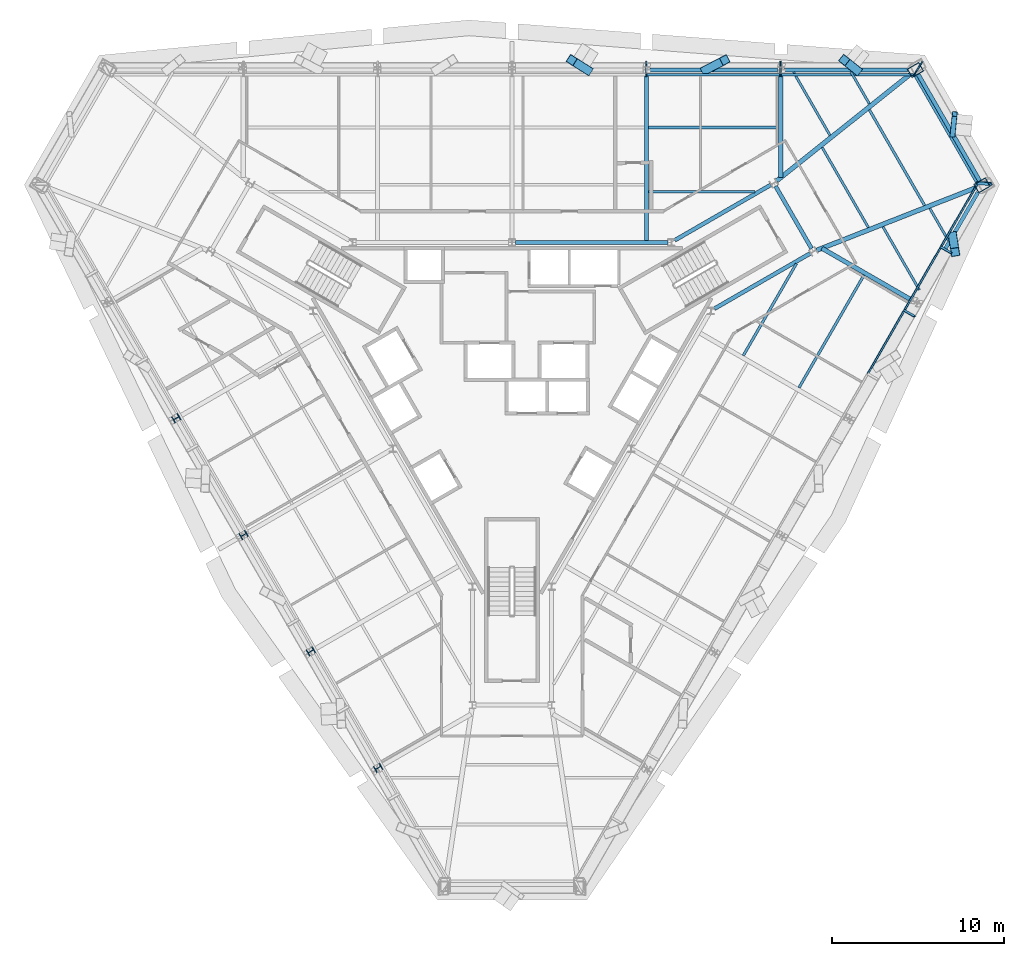
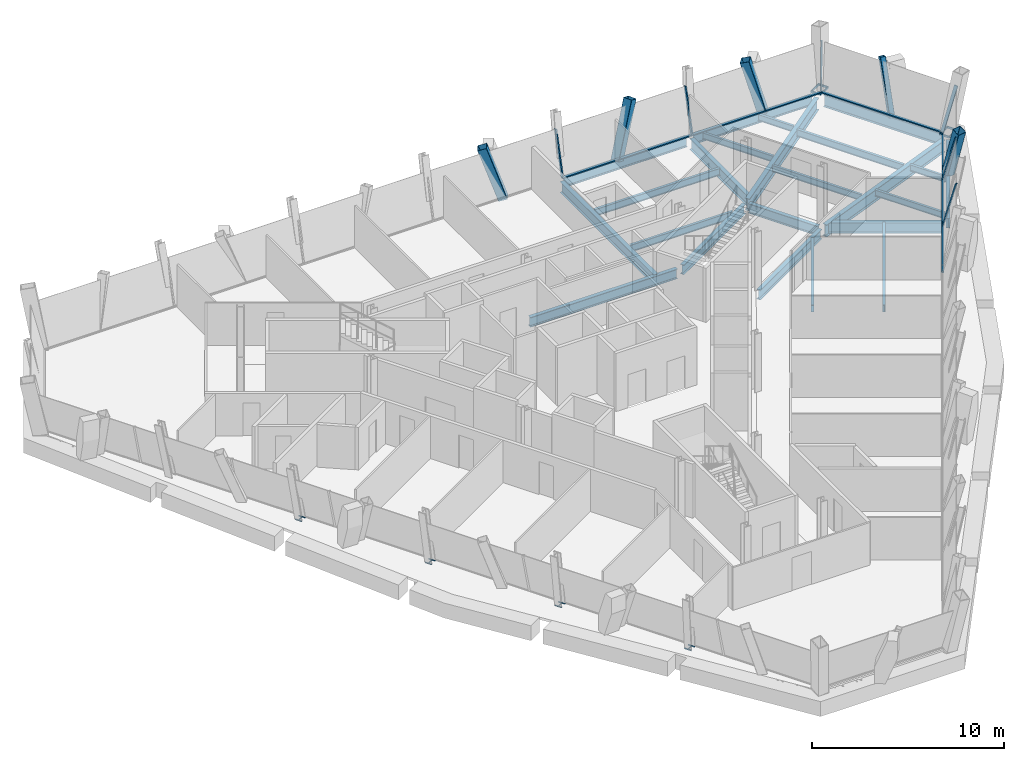
# One storey, part 5 of 12: 23 beams, 23 members, 3 elements without a shape of their own.
"""IFC4 building model written with IfcOpenShell, lengths in metres."""

from ifc_helpers import new_model, si_unit, direction, frame, origin, origin_2d, place, context, subcontext, project, spatial, rectangle, hollow_rectangle, i_section, extrude, material, material_profile, profile_set, type_object, element, aggregate, save


model = new_model("IFC4")

# Units and contexts
model_context = context("Model", 3, precision=1e-05, world=origin(), true_north=direction((0.0, 1.0)))
body_context = subcontext(model_context, "Body", "Model", "MODEL_VIEW")
ifc_project = project(units=[si_unit("LENGTHUNIT", "METRE"), si_unit("AREAUNIT", "SQUARE_METRE"), si_unit("VOLUMEUNIT", "CUBIC_METRE"), si_unit("PLANEANGLEUNIT", "RADIAN"), si_unit("MASSUNIT", "GRAM", prefix="KILO")], contexts=[model_context])

# Site, building, storey
site_placement = place(None, origin())
site = spatial("IfcSite", under=ifc_project, at=site_placement, CompositionType="ELEMENT")
building_placement = place(site_placement, origin())
building = spatial("IfcBuilding", under=site, at=building_placement, Name="Verrane Prism Tower", CompositionType="ELEMENT")
storey_placement = place(building_placement, frame((0.0, 0.0, 185.800048828125)))
storey = spatial("IfcBuildingStorey", under=building, at=storey_placement, Name="L46", CompositionType="ELEMENT", Elevation=185.800048828125)

# Member
ifc_material_1 = material(Name="Steel A500 Grade C", Category="steel")
ifc_material_profile_1 = material_profile(ifc_material_1, hollow_rectangle(XDim=0.3046875, YDim=0.3046875, WallThickness=0.0126953125, InnerFilletRadius=0.00634765625, OuterFilletRadius=0.01904296875, at=origin_2d()), Name="HSS12x12x1/2")
ifc_profile_set_1 = profile_set([ifc_material_profile_1], Name="Steel A500 Grade C")
member_type_1 = type_object("IfcMemberType", Name="Chamfer brace HSS12x12x1/2", PredefinedType="BRACE", material=ifc_profile_set_1)
member_1_placement = place(storey_placement, frame((25.614990234375, 14.26171875, -0.24267578125), z_axis=(0.036408998978, 0.358961961758, 0.932641782682), x_axis=(-0.994895474437, 0.100910826693, 0.0)))
element("IfcMember", 1, at=member_1_placement, inside=storey, type_object=member_type_1, Name="Chamfer brace NE0 L46", PredefinedType="BRACE", context=body_context, shape_type="SweptSolid", body=[
    extrude(hollow_rectangle(XDim=0.3046875, YDim=0.3046875, WallThickness=0.0126953125, InnerFilletRadius=0.00634765625, OuterFilletRadius=0.01904296875, at=origin_2d()), origin(), (0.0, 0.0, 1.0), 3.33251953125),
])

# Beams
ifc_material_2 = material(Name="Steel A992", Category="steel")
ifc_material_profile_2 = material_profile(ifc_material_2, i_section(OverallWidth=0.2666015625, OverallDepth=0.7568359375, WebThickness=0.013916015625, FlangeThickness=0.019287109375, FilletRadius=0.0166015625, at=origin_2d()), Name="W30x108")
ifc_profile_set_2 = profile_set([ifc_material_profile_2], Name="Steel A992")
beam_type_1 = type_object("IfcBeamType", Name="Chamfer spandrel beam W30x108", PredefinedType="SPANDREL", material=ifc_profile_set_2)
beam_1_placement = place(storey_placement, frame((27.169921875, 11.56982421875, -0.53857421875), z_axis=(-0.500163614961, 0.865930920033, 0.0), x_axis=(-0.865930920033, -0.500163614961, 0.0)))
element("IfcBeam", 2, at=beam_1_placement, inside=storey, type_object=beam_type_1, Name="Chamfer spandrel beam L46", PredefinedType="SPANDREL", context=body_context, shape_type="SweptSolid", body=[
    extrude(i_section(OverallWidth=0.2666015625, OverallDepth=0.7568359375, WebThickness=0.013916015625, FlangeThickness=0.019287109375, FilletRadius=0.0166015625, at=origin_2d()), origin(), (0.0, 0.0, 1.0), 7.13720703125),
])
ifc_material_3 = material(Name="Steel A992", Category="steel")
ifc_material_profile_3 = material_profile(ifc_material_3, i_section(OverallWidth=0.23046875, OverallDepth=0.6171875, WebThickness=0.01318359375, FlangeThickness=0.022216796875, FilletRadius=0.012939453125, at=origin_2d()), Name="W24x94")
ifc_profile_set_3 = profile_set([ifc_material_profile_3], Name="Steel A992")
beam_type_2 = type_object("IfcBeamType", Name="Core ring girder W24x94", PredefinedType="BEAM", material=ifc_profile_set_3)
beam_2_placement = place(storey_placement, frame((11.7607421875, 4.1357421875, -0.55859375), z_axis=(0.866075143088, 0.499913839102, 0.0), x_axis=(-0.499913839102, 0.866075143088, 0.0)))
element("IfcBeam", 3, at=beam_2_placement, inside=storey, type_object=beam_type_2, Name="Core ring girder L46", PredefinedType="BEAM", context=body_context, shape_type="SweptSolid", body=[
    extrude(i_section(OverallWidth=0.23046875, OverallDepth=0.6171875, WebThickness=0.01318359375, FlangeThickness=0.022216796875, FilletRadius=0.012939453125, at=origin_2d()), origin(), (0.0, 0.0, 1.0), 6.441650390625),
])
beam_3_placement = place(storey_placement, frame((17.418212890625, 7.635986328125, -0.55859375), z_axis=(-0.500305747711, 0.865848808284, 0.0), x_axis=(-0.865848808284, -0.500305747711, 0.0)))
element("IfcBeam", 4, at=beam_3_placement, inside=storey, type_object=beam_type_2, Name="Core ring girder L46", PredefinedType="BEAM", context=body_context, shape_type="SweptSolid", body=[
    extrude(i_section(OverallWidth=0.23046875, OverallDepth=0.6171875, WebThickness=0.01318359375, FlangeThickness=0.022216796875, FilletRadius=0.012939453125, at=origin_2d()), origin(), (0.0, 0.0, 1.0), 4.1904296875),
])
beam_4_placement = place(storey_placement, frame((15.03955078125, 11.3359375, -0.55859375), z_axis=(-0.866075143088, -0.499913839102, 0.0), x_axis=(0.499913839102, -0.866075143088, 0.0)))
element("IfcBeam", 5, at=beam_4_placement, inside=storey, type_object=beam_type_2, Name="Core ring girder L46", PredefinedType="BEAM", context=body_context, shape_type="SweptSolid", body=[
    extrude(i_section(OverallWidth=0.23046875, OverallDepth=0.6171875, WebThickness=0.01318359375, FlangeThickness=0.022216796875, FilletRadius=0.012939453125, at=origin_2d()), origin(), (0.0, 0.0, 1.0), 6.441650390625),
])
beam_5_placement = place(storey_placement, frame((9.059326171875, 8.0, -0.55859375), z_axis=(-1.0, 0.0, 0.0), x_axis=(0.0, -1.0, 0.0)))
element("IfcBeam", 6, at=beam_5_placement, inside=storey, type_object=beam_type_2, Name="Core ring girder L46", PredefinedType="BEAM", context=body_context, shape_type="SweptSolid", body=[
    extrude(i_section(OverallWidth=0.23046875, OverallDepth=0.6171875, WebThickness=0.01318359375, FlangeThickness=0.022216796875, FilletRadius=0.012939453125, at=origin_2d()), origin(), (0.0, 0.0, 1.0), 8.858642578125),
])
ifc_material_4 = material(Name="Steel A992", Category="steel")
ifc_material_profile_4 = material_profile(ifc_material_4, i_section(OverallWidth=0.2666015625, OverallDepth=0.76708984375, WebThickness=0.014892578125, FlangeThickness=0.023681640625, FilletRadius=0.0166015625, at=origin_2d()), Name="W30x124")
ifc_profile_set_4 = profile_set([ifc_material_profile_4], Name="Steel A992")
beam_type_3 = type_object("IfcBeamType", Name="Corner girder W30x124", PredefinedType="BEAM", material=ifc_profile_set_4)
beam_6_placement = place(storey_placement, frame((26.943603515625, 11.162109375, -0.603515625), z_axis=(-0.930755085218, -0.365643229583, 0.0), x_axis=(0.365643229583, -0.930755085218, 0.0)))
element("IfcBeam", 7, at=beam_6_placement, inside=storey, type_object=beam_type_3, Name="Corner girder L46", PredefinedType="BEAM", context=body_context, shape_type="SweptSolid", body=[
    extrude(i_section(OverallWidth=0.2666015625, OverallDepth=0.76708984375, WebThickness=0.014892578125, FlangeThickness=0.023681640625, FilletRadius=0.0166015625, at=origin_2d()), origin(), (0.0, 0.0, 1.0), 9.9140625),
])
beam_7_placement = place(storey_placement, frame((23.1337890625, 17.757568359375, -0.603515625), z_axis=(-0.781514558867, -0.623887004415, 0.0), x_axis=(0.623887004415, -0.781514558867, 0.0)))
element("IfcBeam", 8, at=beam_7_placement, inside=storey, type_object=beam_type_3, Name="Corner girder L46", PredefinedType="BEAM", context=body_context, shape_type="SweptSolid", body=[
    extrude(i_section(OverallWidth=0.2666015625, OverallDepth=0.76708984375, WebThickness=0.014892578125, FlangeThickness=0.023681640625, FilletRadius=0.0166015625, at=origin_2d()), origin(), (0.0, 0.0, 1.0), 9.915771484375),
])

# Members
ifc_material_5 = material(Name="Steel A500 Grade C", Category="steel")
ifc_material_profile_5 = material_profile(ifc_material_5, hollow_rectangle(XDim=0.508056640625, YDim=0.508056640625, WallThickness=0.01904296875, InnerFilletRadius=0.009521484375, OuterFilletRadius=0.028564453125, at=origin_2d()), Name="HSS20x20x3/4")
ifc_profile_set_5 = profile_set([ifc_material_profile_5], Name="Steel A500 Grade C")
member_type_2 = type_object("IfcMemberType", Name="Facade brace HSS20x20x3/4", PredefinedType="BRACE", material=ifc_profile_set_5)
member_2_placement = place(storey_placement, frame((20.041259765625, 18.010009765625, -0.216796875), z_axis=(-0.218357446262, 0.175536509856, 0.959951540115), x_axis=(-0.62654444333, -0.779385694334, 0.0)))
element("IfcMember", 9, at=member_2_placement, inside=storey, type_object=member_type_2, Name="Facade brace N0 L46", PredefinedType="BRACE", context=body_context, shape_type="SweptSolid", body=[
    extrude(hollow_rectangle(XDim=0.508056640625, YDim=0.508056640625, WallThickness=0.01904296875, InnerFilletRadius=0.009521484375, OuterFilletRadius=0.028564453125, at=origin_2d()), origin(), (0.0, 0.0, 1.0), 3.32958984375),
])
member_3_placement = place(storey_placement, frame((11.2548828125, 18.010009765625, -0.216796875), z_axis=(0.324698573451, 0.17013096626, 0.93039039694), x_axis=(-0.464115652833, 0.885774610607, 0.0)))
element("IfcMember", 10, at=member_3_placement, inside=storey, type_object=member_type_2, Name="Facade brace N1 L46", PredefinedType="BRACE", context=body_context, shape_type="SweptSolid", body=[
    extrude(hollow_rectangle(XDim=0.508056640625, YDim=0.508056640625, WallThickness=0.01904296875, InnerFilletRadius=0.009521484375, OuterFilletRadius=0.028564453125, at=origin_2d()), origin(), (0.0, 0.0, 1.0), 3.435546875),
])
member_4_placement = place(storey_placement, frame((4.395751953125, 18.010009765625, -0.216796875), z_axis=(-0.273745841571, 0.173006215608, 0.946114191619), x_axis=(-0.534244851167, -0.845329781211, 0.0)))
element("IfcMember", 11, at=member_4_placement, inside=storey, type_object=member_type_2, Name="Facade brace N2 L46", PredefinedType="BRACE", context=body_context, shape_type="SweptSolid", body=[
    extrude(hollow_rectangle(XDim=0.508056640625, YDim=0.508056640625, WallThickness=0.01904296875, InnerFilletRadius=0.009521484375, OuterFilletRadius=0.028564453125, at=origin_2d()), origin(), (0.0, 0.0, 1.0), 3.37841796875),
])
member_5_placement = place(storey_placement, frame((25.615478515625, 8.35888671875, -0.216796875), z_axis=(0.044053464311, -0.2777347359, 0.95964717931), x_axis=(0.987652818855, 0.156658575912, 0.0)))
element("IfcMember", 12, at=member_5_placement, inside=storey, type_object=member_type_2, Name="Facade brace SE5 L46", PredefinedType="BRACE", context=body_context, shape_type="SweptSolid", body=[
    extrude(hollow_rectangle(XDim=0.508056640625, YDim=0.508056640625, WallThickness=0.01904296875, InnerFilletRadius=0.009521484375, OuterFilletRadius=0.028564453125, at=origin_2d()), origin(), (0.0, 0.0, 1.0), 3.330810546875),
])

# Beams
ifc_material_6 = material(Name="Steel A992", Category="steel")
ifc_material_profile_6 = material_profile(ifc_material_6, i_section(OverallWidth=0.140380859375, OverallDepth=0.40380859375, WebThickness=0.007080078125, FlangeThickness=0.01123046875, FilletRadius=0.01025390625, at=origin_2d()), Name="W16x31")
ifc_profile_set_6 = profile_set([ifc_material_profile_6], Name="Steel A992")
beam_type_4 = type_object("IfcBeamType", Name="Floor beam W16x31", PredefinedType="BEAM", material=ifc_profile_set_6)
beam_8_placement = place(storey_placement, frame((20.77587890625, 16.046875, -0.362060546875), z_axis=(-0.500039335303, 0.866002692346, 0.0), x_axis=(-0.866002692346, -0.500039335303, 0.0)))
element("IfcBeam", 13, at=beam_8_placement, inside=storey, type_object=beam_type_4, Name="Floor beam L46", PredefinedType="BEAM", context=body_context, shape_type="SweptSolid", body=[
    extrude(i_section(OverallWidth=0.140380859375, OverallDepth=0.40380859375, WebThickness=0.007080078125, FlangeThickness=0.01123046875, FilletRadius=0.01025390625, at=origin_2d()), origin(), (0.0, 0.0, 1.0), 2.134033203125),
])
beam_9_placement = place(storey_placement, frame((18.4853515625, 14.21923828125, -0.362060546875), z_axis=(-0.49997473417, 0.866039990527, 0.0), x_axis=(-0.866039990527, -0.49997473417, 0.0)))
element("IfcBeam", 14, at=beam_9_placement, inside=storey, type_object=beam_type_4, Name="Floor beam L46", PredefinedType="BEAM", context=body_context, shape_type="SweptSolid", body=[
    extrude(i_section(OverallWidth=0.140380859375, OverallDepth=0.40380859375, WebThickness=0.007080078125, FlangeThickness=0.01123046875, FilletRadius=0.01025390625, at=origin_2d()), origin(), (0.0, 0.0, 1.0), 4.244384765625),
])
beam_10_placement = place(storey_placement, frame((25.35107421875, 8.130859375, -0.362060546875), z_axis=(-0.499941024108, 0.866059450854, 0.0), x_axis=(-0.866059450854, -0.499941024108, 0.0)))
element("IfcBeam", 15, at=beam_10_placement, inside=storey, type_object=beam_type_4, Name="Floor beam L46", PredefinedType="BEAM", context=body_context, shape_type="SweptSolid", body=[
    extrude(i_section(OverallWidth=0.140380859375, OverallDepth=0.40380859375, WebThickness=0.007080078125, FlangeThickness=0.01123046875, FilletRadius=0.01025390625, at=origin_2d()), origin(), (0.0, 0.0, 1.0), 2.127197265625),
])
beam_11_placement = place(storey_placement, frame((23.6796875, 5.23681640625, -0.362060546875), z_axis=(-0.500023792618, 0.866011666674, 0.0), x_axis=(-0.866011666674, -0.500023792618, 0.0)))
element("IfcBeam", 16, at=beam_11_placement, inside=storey, type_object=beam_type_4, Name="Floor beam L46", PredefinedType="BEAM", context=body_context, shape_type="SweptSolid", body=[
    extrude(i_section(OverallWidth=0.140380859375, OverallDepth=0.40380859375, WebThickness=0.007080078125, FlangeThickness=0.01123046875, FilletRadius=0.01025390625, at=origin_2d()), origin(), (0.0, 0.0, 1.0), 4.231201171875),
])
beam_12_placement = place(storey_placement, frame((20.72021484375, 8.856201171875, -0.362060546875), z_axis=(-0.500019726309, 0.866014014495, 0.0), x_axis=(-0.866014014495, -0.500019726309, 0.0)))
element("IfcBeam", 17, at=beam_12_placement, inside=storey, type_object=beam_type_4, Name="Floor beam L46", PredefinedType="BEAM", context=body_context, shape_type="SweptSolid", body=[
    extrude(i_section(OverallWidth=0.140380859375, OverallDepth=0.40380859375, WebThickness=0.007080078125, FlangeThickness=0.01123046875, FilletRadius=0.01025390625, at=origin_2d()), origin(), (0.0, 0.0, 1.0), 5.379150390625),
])
ifc_material_7 = material(Name="Steel A992", Category="steel")
ifc_material_profile_7 = material_profile(ifc_material_7, i_section(OverallWidth=0.15234375, OverallDepth=0.449462890625, WebThickness=0.007568359375, FlangeThickness=0.0107421875, FilletRadius=0.01025390625, at=origin_2d()), Name="W18x35")
ifc_profile_set_7 = profile_set([ifc_material_profile_7], Name="Steel A992")
beam_type_5 = type_object("IfcBeamType", Name="Floor beam W18x35", PredefinedType="BEAM", material=ifc_profile_set_7)
beam_13_placement = place(storey_placement, frame((7.947021484375, 10.936767578125, -0.384765625), z_axis=(1.0, 0.0, 0.0), x_axis=(0.0, 1.0, 0.0)))
element("IfcBeam", 18, at=beam_13_placement, inside=storey, type_object=beam_type_5, Name="Floor beam L46", PredefinedType="BEAM", context=body_context, shape_type="SweptSolid", body=[
    extrude(i_section(OverallWidth=0.15234375, OverallDepth=0.449462890625, WebThickness=0.007568359375, FlangeThickness=0.0107421875, FilletRadius=0.01025390625, at=origin_2d()), origin(), (0.0, 0.0, 1.0), 6.1708984375),
])
beam_14_placement = place(storey_placement, frame((7.947021484375, 14.67333984375, -0.384765625), z_axis=(1.0, 0.0, 0.0), x_axis=(0.0, 1.0, 0.0)))
element("IfcBeam", 19, at=beam_14_placement, inside=storey, type_object=beam_type_5, Name="Floor beam L46", PredefinedType="BEAM", context=body_context, shape_type="SweptSolid", body=[
    extrude(i_section(OverallWidth=0.15234375, OverallDepth=0.449462890625, WebThickness=0.007568359375, FlangeThickness=0.0107421875, FilletRadius=0.01025390625, at=origin_2d()), origin(), (0.0, 0.0, 1.0), 7.555908203125),
])
beam_15_placement = place(storey_placement, frame((16.68310546875, -0.453125, -0.384765625), z_axis=(0.499994554566, 0.866028547684, 0.0), x_axis=(-0.866028547684, 0.499994554566, 0.0)))
element("IfcBeam", 20, at=beam_15_placement, inside=storey, type_object=beam_type_5, Name="Floor beam L46", PredefinedType="BEAM", context=body_context, shape_type="SweptSolid", body=[
    extrude(i_section(OverallWidth=0.15234375, OverallDepth=0.449462890625, WebThickness=0.007568359375, FlangeThickness=0.0107421875, FilletRadius=0.01025390625, at=origin_2d()), origin(), (0.0, 0.0, 1.0), 7.5595703125),
])
beam_16_placement = place(storey_placement, frame((13.446044921875, 1.41357421875, -0.384765625), z_axis=(0.500025052272, 0.866010939365, 0.0), x_axis=(-0.866010939365, 0.500025052272, 0.0)))
element("IfcBeam", 21, at=beam_16_placement, inside=storey, type_object=beam_type_5, Name="Floor beam L46", PredefinedType="BEAM", context=body_context, shape_type="SweptSolid", body=[
    extrude(i_section(OverallWidth=0.15234375, OverallDepth=0.449462890625, WebThickness=0.007568359375, FlangeThickness=0.0107421875, FilletRadius=0.01025390625, at=origin_2d()), origin(), (0.0, 0.0, 1.0), 6.169189453125),
])
beam_17_placement = place(storey_placement, frame((23.986328125, 10.1416015625, -0.384765625), z_axis=(-0.500002112793, 0.866024183959, 0.0), x_axis=(-0.866024183959, -0.500002112793, 0.0)))
element("IfcBeam", 22, at=beam_17_placement, inside=storey, type_object=beam_type_5, Name="Floor beam L46", PredefinedType="BEAM", context=body_context, shape_type="SweptSolid", body=[
    extrude(i_section(OverallWidth=0.15234375, OverallDepth=0.449462890625, WebThickness=0.007568359375, FlangeThickness=0.0107421875, FilletRadius=0.01025390625, at=origin_2d()), origin(), (0.0, 0.0, 1.0), 6.42333984375),
])

# Members
ifc_material_8 = material(Name="Steel A572 Grade 50", Category="steel")
ifc_material_profile_8 = material_profile(ifc_material_8, hollow_rectangle(XDim=0.60009765625, YDim=0.800048828125, WallThickness=0.050048828125, at=origin_2d()), Name="BOX 800x600x50")
ifc_profile_set_8 = profile_set([ifc_material_profile_8], Name="Steel A572 Grade 50")
member_type_3 = type_object("IfcMemberType", Name="Kink node BOX 800x600x50", PredefinedType="COLLAR", material=ifc_profile_set_8)
for number, where, z_axis, x_axis, name in (
    (23, (27.3271484375, 11.31005859375, -0.06494140625), (0.0, 0.0, 1.0), (0.5, -0.866025403784, 0.0), "Kink node MC4 L46"),
    (24, (23.45361328125, 18.01611328125, -0.06494140625), (0.0, 0.0, 1.0), (0.5, -0.866025403784, 0.0), "Kink node MC4 L46"),
):
    element("IfcMember", number, at=place(storey_placement, frame(where, z_axis=z_axis, x_axis=x_axis)), inside=storey, type_object=member_type_3, Name=name, PredefinedType="COLLAR", context=body_context, shape_type="SweptSolid", body=[
        extrude(hollow_rectangle(XDim=0.60009765625, YDim=0.800048828125, WallThickness=0.050048828125, at=origin_2d()), origin(), (0.0, 0.0, 1.0), 0.1298828125),
    ])
ifc_material_9 = material(Name="Steel A992", Category="steel")
ifc_material_profile_9 = material_profile(ifc_material_9, i_section(OverallWidth=0.406494140625, OverallDepth=0.41650390625, WebThickness=0.030029296875, FlangeThickness=0.048095703125, FilletRadius=0.01513671875, at=origin_2d()), Name="W14x257")
ifc_profile_set_9 = profile_set([ifc_material_profile_9], Name="Steel A992")
member_type_4 = type_object("IfcMemberType", Name="Kink node W14x257", PredefinedType="COLLAR", material=ifc_profile_set_9)
member_6_placement = place(storey_placement, frame((-19.51318359375, -2.231201171875, -0.03515625), z_axis=(0.0, 0.0, 1.0), x_axis=(-0.5, 0.866025403784, 0.0)))
element("IfcMember", 25, at=member_6_placement, inside=storey, type_object=member_type_4, Name="Kink node PC7 L46", PredefinedType="COLLAR", context=body_context, shape_type="SweptSolid", body=[
    extrude(i_section(OverallWidth=0.406494140625, OverallDepth=0.41650390625, WebThickness=0.030029296875, FlangeThickness=0.048095703125, FilletRadius=0.01513671875, at=origin_2d()), origin(), (0.0, 0.0, 1.0), 0.070068359375),
])
member_7_placement = place(storey_placement, frame((-15.6025390625, -9.011474609375, -0.030029296875), z_axis=(0.0, 0.0, 1.0), x_axis=(-0.5, 0.866025403784, 0.0)))
element("IfcMember", 26, at=member_7_placement, inside=storey, type_object=member_type_4, Name="Kink node PC7 L46", PredefinedType="COLLAR", context=body_context, shape_type="SweptSolid", body=[
    extrude(i_section(OverallWidth=0.406494140625, OverallDepth=0.41650390625, WebThickness=0.030029296875, FlangeThickness=0.048095703125, FilletRadius=0.01513671875, at=origin_2d()), origin(), (0.0, 0.0, 1.0), 0.06005859375),
])
member_8_placement = place(storey_placement, frame((-11.692626953125, -15.7822265625, -0.03515625), z_axis=(0.0, 0.0, 1.0), x_axis=(-0.5, 0.866025403784, 0.0)))
element("IfcMember", 27, at=member_8_placement, inside=storey, type_object=member_type_4, Name="Kink node PC7 L46", PredefinedType="COLLAR", context=body_context, shape_type="SweptSolid", body=[
    extrude(i_section(OverallWidth=0.406494140625, OverallDepth=0.41650390625, WebThickness=0.030029296875, FlangeThickness=0.048095703125, FilletRadius=0.01513671875, at=origin_2d()), origin(), (0.0, 0.0, 1.0), 0.070068359375),
])
member_9_placement = place(storey_placement, frame((-7.78271484375, -22.55322265625, -0.0400390625), z_axis=(0.0, 0.0, 1.0), x_axis=(-0.5, 0.866025403784, 0.0)))
element("IfcMember", 28, at=member_9_placement, inside=storey, type_object=member_type_4, Name="Kink node PC7 L46", PredefinedType="COLLAR", context=body_context, shape_type="SweptSolid", body=[
    extrude(i_section(OverallWidth=0.406494140625, OverallDepth=0.41650390625, WebThickness=0.030029296875, FlangeThickness=0.048095703125, FilletRadius=0.01513671875, at=origin_2d()), origin(), (0.0, 0.0, 1.0), 0.080078125),
])

# Curtain wall, members
ifc_material_10 = material(Name="Aluminium framed insulated glazing", Category="aluminium")
curtain_wall_type_1 = type_object("IfcCurtainWallType", Name="Curtain wall CW-C 4200 module", PredefinedType="NOTDEFINED", material=ifc_material_10)
curtain_wall_1_placement = place(storey_placement, origin())
curtain_wall_1 = element("IfcCurtainWall", 29, at=curtain_wall_1_placement, inside=storey, type_object=curtain_wall_type_1, Name="Glazed curtain wall south-east face L46", PredefinedType="NOTDEFINED")
ifc_material_11 = material(Name="Aluminium alloy 6063-T6", Category="aluminium")
ifc_material_profile_10 = material_profile(ifc_material_11, rectangle(XDim=0.139892578125, YDim=0.050048828125, at=origin_2d()), Name="Mullion 50x140 aluminium")
ifc_profile_set_10 = profile_set([ifc_material_profile_10], Name="Aluminium alloy 6063-T6")
member_type_5 = type_object("IfcMemberType", Name="Mullion 50x140 aluminium", PredefinedType="MULLION", material=ifc_profile_set_10)
member_10_placement = place(storey_placement, frame((22.8037109375, 4.03515625, 0.0), z_axis=(0.216364904862, -0.124956614407, 0.968283053895), x_axis=(-0.852358631448, -0.507816716186, 0.124927763758)))
member_10 = element("IfcMember", 30, at=member_10_placement, type_object=member_type_5, Name="CW44.6 mullion 10", PredefinedType="MULLION", context=body_context, shape_type="SweptSolid", body=[
    extrude(rectangle(XDim=0.139892578125, YDim=0.050048828125, at=origin_2d()), origin(), (0.0, 0.0, 1.0), 2.8017578125),
])
member_11_placement = place(storey_placement, frame((24.931640625, 7.720947265625, 0.0), z_axis=(0.216364904862, -0.124956614407, 0.968283053895), x_axis=(-0.852358631448, -0.507816716186, 0.124927763758)))
member_11 = element("IfcMember", 31, at=member_11_placement, type_object=member_type_5, Name="CW44.6 mullion 11", PredefinedType="MULLION", context=body_context, shape_type="SweptSolid", body=[
    extrude(rectangle(XDim=0.139892578125, YDim=0.050048828125, at=origin_2d()), origin(), (0.0, 0.0, 1.0), 2.8017578125),
])

# Curtain wall, member
ifc_material_12 = material(Name="Aluminium framed insulated glazing", Category="aluminium")
curtain_wall_type_2 = type_object("IfcCurtainWallType", Name="Curtain wall CW-A 8400 module", PredefinedType="NOTDEFINED", material=ifc_material_12)
curtain_wall_2_placement = place(storey_placement, origin())
curtain_wall_2 = element("IfcCurtainWall", 32, at=curtain_wall_2_placement, inside=storey, type_object=curtain_wall_type_2, Name="Glazed curtain wall north-east corner L46", PredefinedType="NOTDEFINED")
ifc_material_13 = material(Name="Aluminium alloy 6063-T6", Category="aluminium")
ifc_material_profile_11 = material_profile(ifc_material_13, rectangle(XDim=0.199951171875, YDim=0.070068359375, at=origin_2d()), Name="Mullion 70x200 aluminium")
ifc_profile_set_11 = profile_set([ifc_material_profile_11], Name="Aluminium alloy 6063-T6")
member_type_6 = type_object("IfcMemberType", Name="Mullion 70x200 aluminium", PredefinedType="MULLION", material=ifc_profile_set_11)
member_12_placement = place(storey_placement, frame((27.042236328125, 11.43701171875, 0.0), z_axis=(0.291230931481, -0.01058865048, 0.956594179906), x_axis=(0.44651702974, -0.882830935972, -0.14571232152)))
member_12 = element("IfcMember", 33, at=member_12_placement, type_object=member_type_6, Name="CW44.1 mullion 1", PredefinedType="MULLION", context=body_context, shape_type="SweptSolid", body=[
    extrude(rectangle(XDim=0.199951171875, YDim=0.070068359375, at=origin_2d()), origin(), (0.0, 0.0, 1.0), 2.8359375),
])

# Curtain wall, members
curtain_wall_3_placement = place(storey_placement, origin())
curtain_wall_3 = element("IfcCurtainWall", 34, at=curtain_wall_3_placement, inside=storey, type_object=curtain_wall_type_2, Name="Glazed curtain wall north face L46", PredefinedType="NOTDEFINED")
member_13_placement = place(storey_placement, frame((23.373291015625, 17.73095703125, 0.0), z_axis=(0.155039952639, 0.246807076188, 0.956581873249), x_axis=(0.508839972028, 0.810018989342, -0.291463753786)))
member_13 = element("IfcMember", 35, at=member_13_placement, type_object=member_type_6, Name="CW44.2 mullion 1", PredefinedType="MULLION", context=body_context, shape_type="SweptSolid", body=[
    extrude(rectangle(XDim=0.199951171875, YDim=0.070068359375, at=origin_2d()), origin(), (0.0, 0.0, 1.0), 2.8359375),
])
member_14_placement = place(storey_placement, frame((15.605712890625, 17.73095703125, 0.0), z_axis=(0.0, 0.249827945556, 0.968290244513), x_axis=(0.0, 0.968290244513, -0.249827945556)))
member_14 = element("IfcMember", 36, at=member_14_placement, type_object=member_type_6, Name="CW44.2 mullion 2", PredefinedType="MULLION", context=body_context, shape_type="SweptSolid", body=[
    extrude(rectangle(XDim=0.199951171875, YDim=0.070068359375, at=origin_2d()), origin(), (0.0, 0.0, 1.0), 2.8017578125),
])
member_15_placement = place(storey_placement, frame((7.802734375, 17.73095703125, 0.0), z_axis=(0.0, 0.249827945556, 0.968290244513), x_axis=(0.0, 0.968290244513, -0.249827945556)))
member_15 = element("IfcMember", 37, at=member_15_placement, type_object=member_type_6, Name="CW44.2 mullion 3", PredefinedType="MULLION", context=body_context, shape_type="SweptSolid", body=[
    extrude(rectangle(XDim=0.199951171875, YDim=0.070068359375, at=origin_2d()), origin(), (0.0, 0.0, 1.0), 2.8017578125),
])

# Beams
ifc_material_14 = material(Name="Steel A992", Category="steel")
ifc_material_profile_12 = material_profile(ifc_material_14, i_section(OverallWidth=0.25390625, OverallDepth=0.683349609375, WebThickness=0.012451171875, FlangeThickness=0.01904296875, FilletRadius=0.01513671875, at=origin_2d()), Name="W27x94")
ifc_profile_set_12 = profile_set([ifc_material_profile_12], Name="Steel A992")
beam_type_6 = type_object("IfcBeamType", Name="Radial girder W27x94", PredefinedType="BEAM", material=ifc_profile_set_12)
beam_18_placement = place(storey_placement, frame((15.6298828125, 17.8017578125, -0.561767578125), z_axis=(0.0, -1.0, 0.0), x_axis=(1.0, 0.0, 0.0)))
element("IfcBeam", 38, at=beam_18_placement, inside=storey, type_object=beam_type_6, Name="Radial girder L46", PredefinedType="BEAM", context=body_context, shape_type="SweptSolid", body=[
    extrude(i_section(OverallWidth=0.25390625, OverallDepth=0.683349609375, WebThickness=0.012451171875, FlangeThickness=0.01904296875, FilletRadius=0.01513671875, at=origin_2d()), origin(), (0.0, 0.0, 1.0), 6.034423828125),
])
beam_19_placement = place(storey_placement, frame((7.820068359375, 17.8017578125, -0.561767578125), z_axis=(0.0, -1.0, 0.0), x_axis=(1.0, 0.0, 0.0)))
element("IfcBeam", 39, at=beam_19_placement, inside=storey, type_object=beam_type_6, Name="Radial girder L46", PredefinedType="BEAM", context=body_context, shape_type="SweptSolid", body=[
    extrude(i_section(OverallWidth=0.25390625, OverallDepth=0.683349609375, WebThickness=0.012451171875, FlangeThickness=0.01904296875, FilletRadius=0.01513671875, at=origin_2d()), origin(), (0.0, 0.0, 1.0), 9.8017578125),
])
beam_20_placement = place(storey_placement, frame((23.2294921875, 4.64404296875, -0.561767578125), z_axis=(-0.866016092368, 0.500016127499, 0.0), x_axis=(-0.500016127499, -0.866016092368, 0.0)))
element("IfcBeam", 40, at=beam_20_placement, inside=storey, type_object=beam_type_6, Name="Radial girder L46", PredefinedType="BEAM", context=body_context, shape_type="SweptSolid", body=[
    extrude(i_section(OverallWidth=0.25390625, OverallDepth=0.683349609375, WebThickness=0.012451171875, FlangeThickness=0.01904296875, FilletRadius=0.01513671875, at=origin_2d()), origin(), (0.0, 0.0, 1.0), 6.020751953125),
])
ifc_material_15 = material(Name="Steel A992", Category="steel")
ifc_material_profile_13 = material_profile(ifc_material_15, i_section(OverallWidth=0.23046875, OverallDepth=0.6171875, WebThickness=0.01318359375, FlangeThickness=0.022216796875, FilletRadius=0.012939453125, at=origin_2d()), Name="W24x94")
ifc_profile_set_13 = profile_set([ifc_material_profile_13], Name="Steel A992")
beam_type_7 = type_object("IfcBeamType", Name="Spandrel beam W24x94", PredefinedType="SPANDREL", material=ifc_profile_set_13)
beam_21_placement = place(storey_placement, frame((22.988037109375, 18.010009765625, -0.46875), z_axis=(-1.0, 0.0, 0.0), x_axis=(0.0, -1.0, 0.0)))
element("IfcBeam", 41, at=beam_21_placement, inside=storey, type_object=beam_type_7, Name="Spandrel beam L46", PredefinedType="SPANDREL", context=body_context, shape_type="SweptSolid", body=[
    extrude(i_section(OverallWidth=0.23046875, OverallDepth=0.6171875, WebThickness=0.01318359375, FlangeThickness=0.022216796875, FilletRadius=0.012939453125, at=origin_2d()), origin(), (0.0, 0.0, 1.0), 7.15478515625),
])
beam_22_placement = place(storey_placement, frame((15.4267578125, 18.010009765625, -0.46875), z_axis=(-1.0, 0.0, 0.0), x_axis=(0.0, -1.0, 0.0)))
element("IfcBeam", 42, at=beam_22_placement, inside=storey, type_object=beam_type_7, Name="Spandrel beam L46", PredefinedType="SPANDREL", context=body_context, shape_type="SweptSolid", body=[
    extrude(i_section(OverallWidth=0.23046875, OverallDepth=0.6171875, WebThickness=0.01318359375, FlangeThickness=0.022216796875, FilletRadius=0.012939453125, at=origin_2d()), origin(), (0.0, 0.0, 1.0), 7.403564453125),
])
beam_23_placement = place(storey_placement, frame((23.51171875, 4.716064453125, -0.46875), z_axis=(0.500129173379, 0.865950812653, 0.0), x_axis=(-0.865950812653, 0.500129173379, 0.0)))
element("IfcBeam", 43, at=beam_23_placement, inside=storey, type_object=beam_type_7, Name="Spandrel beam L46", PredefinedType="SPANDREL", context=body_context, shape_type="SweptSolid", body=[
    extrude(i_section(OverallWidth=0.23046875, OverallDepth=0.6171875, WebThickness=0.01318359375, FlangeThickness=0.022216796875, FilletRadius=0.012939453125, at=origin_2d()), origin(), (0.0, 0.0, 1.0), 7.15283203125),
])

# Member
ifc_material_16 = material(Name="Aluminium alloy 6063-T6", Category="aluminium")
ifc_material_profile_14 = material_profile(ifc_material_16, rectangle(XDim=0.10009765625, YDim=0.050048828125, at=origin_2d()), Name="Transom 50x100 aluminium")
ifc_profile_set_14 = profile_set([ifc_material_profile_14], Name="Aluminium alloy 6063-T6")
member_type_7 = type_object("IfcMemberType", Name="Transom 50x100 aluminium", PredefinedType="USERDEFINED", material=ifc_profile_set_14)
member_16_placement = place(storey_placement, frame((20.68798828125, 0.370849609375, 0.02490234375), z_axis=(0.499997126074, 0.86602706304, 0.0), x_axis=(-0.86602706304, 0.499997126074, 0.0)))
member_16 = element("IfcMember", 44, at=member_16_placement, type_object=member_type_7, Name="CW44.6 transom 9", ObjectType="TRANSOM", PredefinedType="USERDEFINED", context=body_context, shape_type="SweptSolid", body=[
    extrude(rectangle(XDim=0.10009765625, YDim=0.050048828125, at=origin_2d()), origin(), (0.0, 0.0, 1.0), 4.2060546875),
])

member_17_placement = place(storey_placement, frame((22.816162109375, 4.056640625, 0.02490234375), z_axis=(0.499997126074, 0.86602706304, 0.0), x_axis=(-0.86602706304, 0.499997126074, 0.0)))
member_17 = element("IfcMember", 45, at=member_17_placement, type_object=member_type_7, Name="CW44.6 transom 10", ObjectType="TRANSOM", PredefinedType="USERDEFINED", context=body_context, shape_type="SweptSolid", body=[
    extrude(rectangle(XDim=0.10009765625, YDim=0.050048828125, at=origin_2d()), origin(), (0.0, 0.0, 1.0), 4.2060546875),
])

member_18_placement = place(storey_placement, frame((24.944091796875, 7.74267578125, 0.02490234375), z_axis=(0.500048779063, 0.865997239347, 0.0), x_axis=(-0.865997239347, 0.500048779063, 0.0)))
member_18 = element("IfcMember", 46, at=member_18_placement, type_object=member_type_7, Name="CW44.6 transom 11", ObjectType="TRANSOM", PredefinedType="USERDEFINED", context=body_context, shape_type="SweptSolid", body=[
    extrude(rectangle(XDim=0.10009765625, YDim=0.050048828125, at=origin_2d()), origin(), (0.0, 0.0, 1.0), 4.23095703125),
])

aggregate(curtain_wall_1, [member_10, member_11, member_16, member_17, member_18])

ifc_material_17 = material(Name="Aluminium alloy 6063-T6", Category="aluminium")
ifc_material_profile_15 = material_profile(ifc_material_17, rectangle(XDim=0.14990234375, YDim=0.070068359375, at=origin_2d()), Name="Transom 70x150 aluminium")
ifc_profile_set_15 = profile_set([ifc_material_profile_15], Name="Aluminium alloy 6063-T6")
member_type_8 = type_object("IfcMemberType", Name="Transom 70x150 aluminium", PredefinedType="USERDEFINED", material=ifc_profile_set_15)
member_19_placement = place(storey_placement, frame((27.024658203125, 11.467529296875, 0.034912109375), z_axis=(-0.500001996123, 0.866024251319, 0.0), x_axis=(-0.866024251319, -0.500001996123, 0.0)))
member_19 = element("IfcMember", 47, at=member_19_placement, type_object=member_type_8, Name="CW44.1 transom 1", ObjectType="TRANSOM", PredefinedType="USERDEFINED", context=body_context, shape_type="SweptSolid", body=[
    extrude(rectangle(XDim=0.14990234375, YDim=0.070068359375, at=origin_2d()), origin(), (0.0, 0.0, 1.0), 7.232421875),
])

aggregate(curtain_wall_2, [member_12, member_19])

member_20_placement = place(storey_placement, frame((23.33837890625, 17.73095703125, 0.034912109375), z_axis=(-1.0, 0.0, 0.0), x_axis=(0.0, -1.0, 0.0)))
member_20 = element("IfcMember", 48, at=member_20_placement, type_object=member_type_8, Name="CW44.2 transom 1", ObjectType="TRANSOM", PredefinedType="USERDEFINED", context=body_context, shape_type="SweptSolid", body=[
    extrude(rectangle(XDim=0.14990234375, YDim=0.070068359375, at=origin_2d()), origin(), (0.0, 0.0, 1.0), 7.69775390625),
])

member_21_placement = place(storey_placement, frame((15.570556640625, 17.73095703125, 0.034912109375), z_axis=(-1.0, 0.0, 0.0), x_axis=(0.0, -1.0, 0.0)))
member_21 = element("IfcMember", 49, at=member_21_placement, type_object=member_type_8, Name="CW44.2 transom 2", ObjectType="TRANSOM", PredefinedType="USERDEFINED", context=body_context, shape_type="SweptSolid", body=[
    extrude(rectangle(XDim=0.14990234375, YDim=0.070068359375, at=origin_2d()), origin(), (0.0, 0.0, 1.0), 7.732666015625),
])

aggregate(curtain_wall_3, [member_13, member_14, member_15, member_20, member_21])

save(model, "model.ifc")
